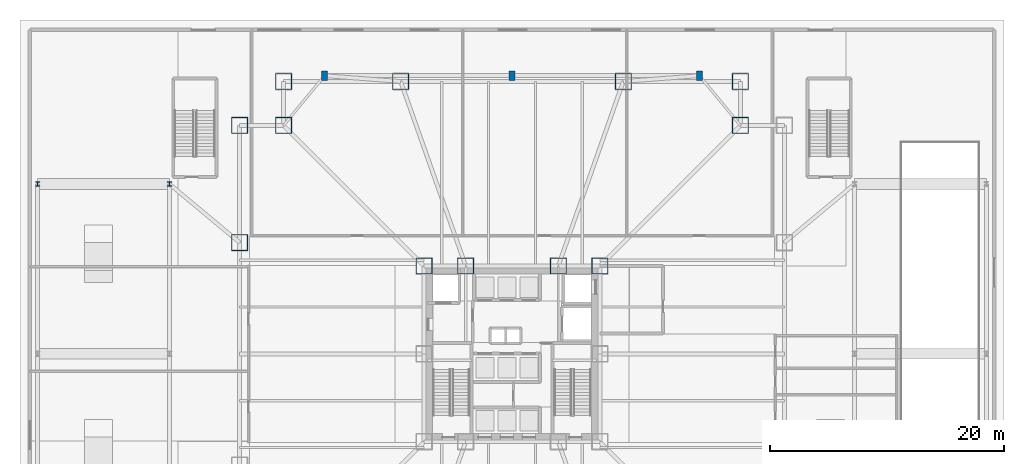
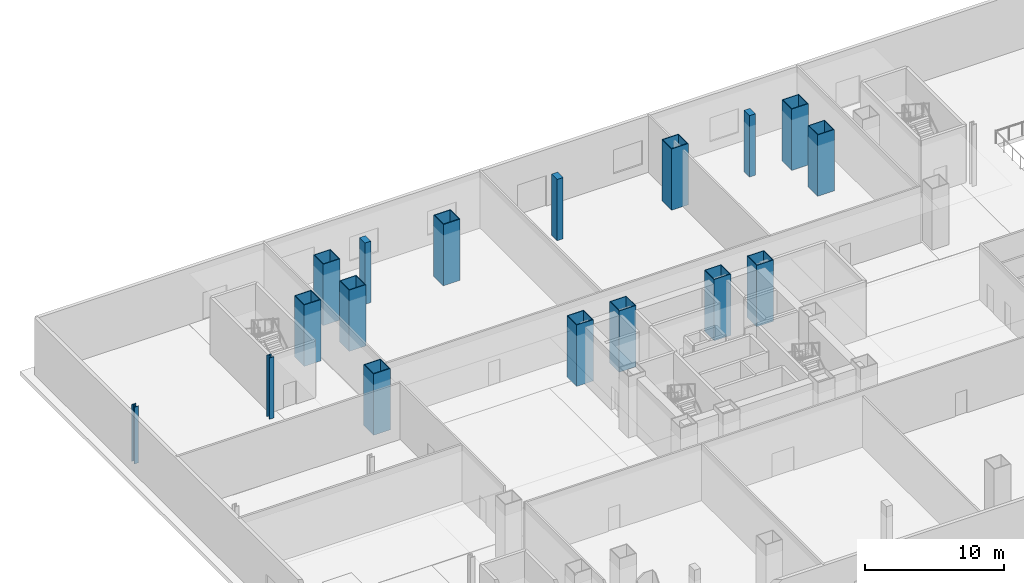
# One storey, part 2 of 24: 17 columns.
"""IFC4 building model written with IfcOpenShell, lengths in metres."""

from ifc_helpers import new_model, si_unit, direction, frame, origin, origin_2d, place, context, subcontext, project, spatial, rectangle, hollow_rectangle, i_section, extrude, material, material_profile, profile_set, type_object, element, save


model = new_model("IFC4")

# Units and contexts
model_context = context("Model", 3, precision=1e-05, world=origin(), true_north=direction((0.0, 1.0)))
body_context = subcontext(model_context, "Body", "Model", "MODEL_VIEW")
ifc_project = project(units=[si_unit("LENGTHUNIT", "METRE"), si_unit("AREAUNIT", "SQUARE_METRE"), si_unit("VOLUMEUNIT", "CUBIC_METRE"), si_unit("PLANEANGLEUNIT", "RADIAN"), si_unit("MASSUNIT", "GRAM", prefix="KILO")], contexts=[model_context])

# Site, building, storey
site_placement = place(None, origin())
site = spatial("IfcSite", under=ifc_project, at=site_placement, CompositionType="ELEMENT")
building_placement = place(site_placement, origin())
building = spatial("IfcBuilding", under=site, at=building_placement, Name="Trevonay Congress Spire", CompositionType="ELEMENT")
storey_placement = place(building_placement, origin())
storey = spatial("IfcBuildingStorey", under=building, at=storey_placement, Name="L00", CompositionType="ELEMENT", Elevation=0.0)

# Columns
ifc_material_1 = material(Name="Steel ASTM A572 Grade 50", Category="steel")
ifc_material_profile_1 = material_profile(ifc_material_1, hollow_rectangle(XDim=1.39990234375, YDim=1.39990234375, WallThickness=0.06005859375, at=origin_2d()), Name="BOX 1400x1400x60")
ifc_profile_set_1 = profile_set([ifc_material_profile_1], Name="Steel ASTM A572 Grade 50")
column_type_1 = type_object("IfcColumnType", Name="COL-CORE-BOX1400", PredefinedType="COLUMN", material=ifc_profile_set_1)
for number, where, z_axis, x_axis, name in (
    (1, (7.5, 7.5, 0.0), (0.0, 0.0, 1.0), (1.0, 0.0, 0.0), "L00 column C01 at CC-NE"),
    (2, (3.949951171875, 7.5, 0.0), (0.0, 0.0, 1.0), (1.0, 0.0, 0.0), "L00 column C01 at CC-NME"),
    (3, (-3.949951171875, 7.5, 0.0), (0.0, 0.0, 1.0), (1.0, 0.0, 0.0), "L00 column C01 at CC-NMW"),
    (4, (-7.5, 7.5, 0.0), (0.0, 0.0, 1.0), (1.0, 0.0, 0.0), "L00 column C01 at CC-NW"),
    (5, (-19.5, 23.25, 0.0), (0.0, 0.0, 1.0), (1.0, 0.0, 0.0), "L00 column C01 at TM-N1"),
    (6, (-9.5, 23.25, 0.0), (0.0, 0.0, 1.0), (1.0, 0.0, 0.0), "L00 column C01 at TM-N2"),
    (7, (9.5, 23.25, 0.0), (0.0, 0.0, 1.0), (1.0, 0.0, 0.0), "L00 column C01 at TM-N5"),
    (8, (19.5, 23.25, 0.0), (0.0, 0.0, 1.0), (1.0, 0.0, 0.0), "L00 column C01 at TM-N6"),
    (9, (-23.25, 9.5, 0.0), (0.0, 0.0, 1.0), (1.0, 0.0, 0.0), "L00 column C01 at TM-W5"),
    (10, (-23.25, 19.5, 0.0), (0.0, 0.0, 1.0), (1.0, 0.0, 0.0), "L00 column C01 at TM-W6"),
    (11, (19.5, 19.5, 0.0), (0.0, 0.0, 1.0), (1.0, 0.0, 0.0), "L00 column C01 at TM-CNE"),
    (12, (-19.5, 19.5, 0.0), (0.0, 0.0, 1.0), (1.0, 0.0, 0.0), "L00 column C01 at TM-CNW"),
):
    element("IfcColumn", number, at=place(storey_placement, frame(where, z_axis=z_axis, x_axis=x_axis)), inside=storey, type_object=column_type_1, Name=name, PredefinedType="COLUMN", context=body_context, shape_type="SweptSolid", body=[
        extrude(hollow_rectangle(XDim=1.39990234375, YDim=1.39990234375, WallThickness=0.06005859375, at=origin_2d()), origin(), (0.0, 0.0, 1.0), 5.39990234375),
    ])
ifc_material_2 = material(Name="Concrete C60/75", Category="concrete")
ifc_material_profile_2 = material_profile(ifc_material_2, rectangle(XDim=0.5, YDim=0.800048828125, at=origin_2d()), Name="RC 800x500")
ifc_profile_set_2 = profile_set([ifc_material_profile_2], Name="Concrete C60/75")
column_type_2 = type_object("IfcColumnType", Name="COL-PIL-RC800X500", PredefinedType="PILASTER", material=ifc_profile_set_2)
for number, where, z_axis, x_axis, name in (
    (13, (-16.0, 23.75, 0.0), (0.0, 0.0, 1.0), (1.0, 0.0, 0.0), "L00 column C13 at PN-1"),
    (14, (0.0, 23.75, 0.0), (0.0, 0.0, 1.0), (1.0, 0.0, 0.0), "L00 column C13 at PN-2"),
    (15, (16.0, 23.75, 0.0), (0.0, 0.0, 1.0), (1.0, 0.0, 0.0), "L00 column C13 at PN-3"),
):
    element("IfcColumn", number, at=place(storey_placement, frame(where, z_axis=z_axis, x_axis=x_axis)), inside=storey, type_object=column_type_2, Name=name, PredefinedType="PILASTER", context=body_context, shape_type="SweptSolid", body=[
        extrude(rectangle(XDim=0.5, YDim=0.800048828125, at=origin_2d()), origin(), (0.0, 0.0, 1.0), 5.39990234375),
    ])
ifc_material_profile_3 = material_profile(ifc_material_1, i_section(OverallWidth=0.367919921875, OverallDepth=0.425048828125, WebThickness=0.02978515625, FlangeThickness=0.047607421875, FilletRadius=0.02001953125, at=origin_2d()), Name="W360x421")
ifc_profile_set_3 = profile_set([ifc_material_profile_3], Name="Steel ASTM A572 Grade 50")
column_type_3 = type_object("IfcColumnType", Name="COL-POD-W360X421", PredefinedType="COLUMN", material=ifc_profile_set_3)
column_1_placement = place(storey_placement, frame((-29.25, 14.5, 0.0), z_axis=(0.0, 0.0, 1.0), x_axis=(1.0, 0.0, 0.0)))
element("IfcColumn", 16, at=column_1_placement, inside=storey, type_object=column_type_3, Name="L00 column C08 at PW-3", PredefinedType="COLUMN", context=body_context, shape_type="SweptSolid", body=[
    extrude(i_section(OverallWidth=0.367919921875, OverallDepth=0.425048828125, WebThickness=0.02978515625, FlangeThickness=0.047607421875, FilletRadius=0.02001953125, at=origin_2d()), origin(), (0.0, 0.0, 1.0), 5.39990234375),
])
ifc_material_profile_4 = material_profile(ifc_material_1, i_section(OverallWidth=0.35205078125, OverallDepth=0.406982421875, WebThickness=0.024658203125, FlangeThickness=0.039794921875, FilletRadius=0.02001953125, at=origin_2d()), Name="W360x347")
ifc_profile_set_4 = profile_set([ifc_material_profile_4], Name="Steel ASTM A572 Grade 50")
column_type_4 = type_object("IfcColumnType", Name="COL-STEP-W360X347", PredefinedType="COLUMN", material=ifc_profile_set_4)
column_2_placement = place(storey_placement, frame((-40.5, 14.5, 0.0), z_axis=(0.0, 0.0, 1.0), x_axis=(1.0, 0.0, 0.0)))
element("IfcColumn", 17, at=column_2_placement, inside=storey, type_object=column_type_4, Name="L00 column C09 at EXW-3", PredefinedType="COLUMN", context=body_context, shape_type="SweptSolid", body=[
    extrude(i_section(OverallWidth=0.35205078125, OverallDepth=0.406982421875, WebThickness=0.024658203125, FlangeThickness=0.039794921875, FilletRadius=0.02001953125, at=origin_2d()), origin(), (0.0, 0.0, 1.0), 5.0),
])

save(model, "model.ifc")
